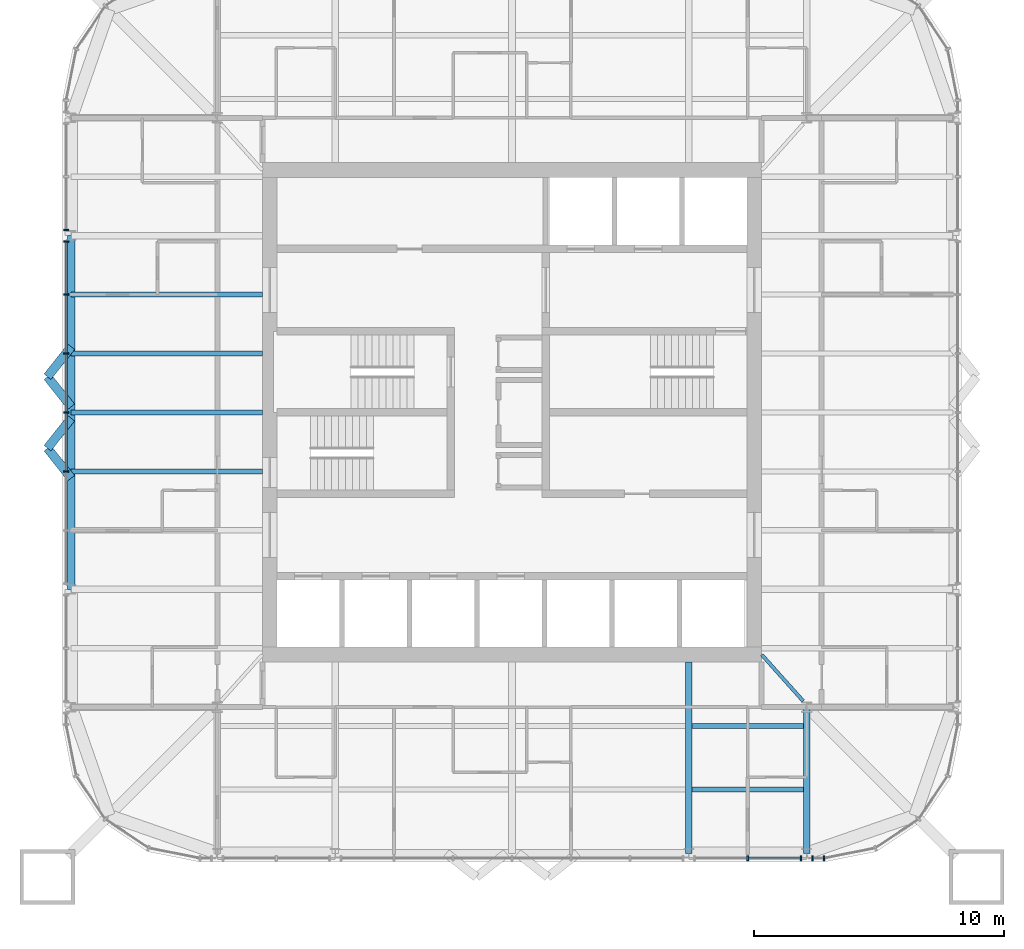
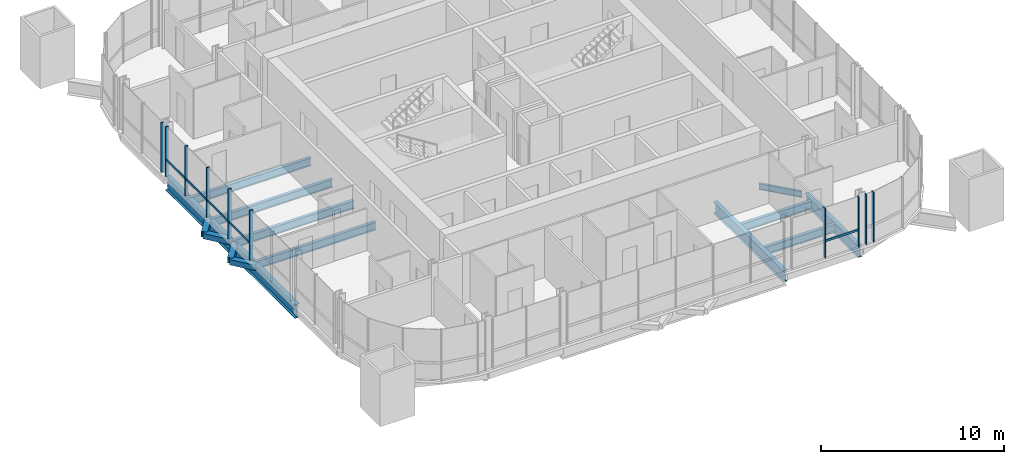
# One storey, part 3 of 17: 15 members, 14 beams, 4 elements without a shape of their own.
"""IFC4 building model written with IfcOpenShell, lengths in metres."""

from ifc_helpers import new_model, si_unit, direction, frame, origin, origin_2d, place, context, subcontext, project, spatial, rectangle, hollow_rectangle, i_section, extrude, material, material_profile, profile_set, type_object, element, aggregate, save


model = new_model("IFC4")

# Units and contexts
model_context = context("Model", 3, precision=1e-05, world=origin(), true_north=direction((0.0, 1.0)))
body_context = subcontext(model_context, "Body", "Model", "MODEL_VIEW")
ifc_project = project(units=[si_unit("LENGTHUNIT", "METRE"), si_unit("AREAUNIT", "SQUARE_METRE"), si_unit("VOLUMEUNIT", "CUBIC_METRE"), si_unit("PLANEANGLEUNIT", "RADIAN"), si_unit("MASSUNIT", "GRAM", prefix="KILO")], contexts=[model_context])

# Site, building, storey
site_placement = place(None, origin())
site = spatial("IfcSite", under=ifc_project, at=site_placement, CompositionType="ELEMENT")
building_placement = place(site_placement, origin())
building = spatial("IfcBuilding", under=site, at=building_placement, Name="Turquesa Mirador Hotel Tower", CompositionType="ELEMENT")
storey_placement = place(building_placement, frame((0.0, 0.0, 247.699951171875)))
storey = spatial("IfcBuildingStorey", under=building, at=storey_placement, Name="L67", CompositionType="ELEMENT", Elevation=247.699951171875)

# Beams
ifc_material_1 = material(Name="Steel ASTM A992 Grade 50", Category="steel")
ifc_material_profile_1 = material_profile(ifc_material_1, i_section(OverallWidth=0.140380859375, OverallDepth=0.40380859375, WebThickness=0.007080078125, FlangeThickness=0.01123046875, at=origin_2d()), Name="W16X31")
ifc_profile_set_1 = profile_set([ifc_material_profile_1], Name="Steel ASTM A992 Grade 50")
beam_type_1 = type_object("IfcBeamType", Name="BEAM W16X31", PredefinedType="BEAM", material=ifc_profile_set_1)
beam_1_placement = place(storey_placement, frame((66.656494140625, 33.44873046875, -0.371826171875), z_axis=(-0.666806350186, 0.745231032198, 0.0), x_axis=(-0.745231032198, -0.666806350186, 0.0)))
element("IfcBeam", 1, at=beam_1_placement, inside=storey, type_object=beam_type_1, Name="KT-L67-4", PredefinedType="BEAM", context=body_context, shape_type="SweptSolid", body=[
    extrude(i_section(OverallWidth=0.140380859375, OverallDepth=0.40380859375, WebThickness=0.007080078125, FlangeThickness=0.01123046875, at=origin_2d()), origin(), (0.0, 0.0, 1.0), 2.484130859375),
])
ifc_material_2 = material(Name="Steel ASTM A992 Grade 50", Category="steel")
ifc_material_profile_2 = material_profile(ifc_material_2, i_section(OverallWidth=0.209228515625, OverallDepth=0.533447265625, WebThickness=0.01025390625, FlangeThickness=0.015625, at=origin_2d()), Name="W21X62")
ifc_profile_set_2 = profile_set([ifc_material_profile_2], Name="Steel ASTM A992 Grade 50")
beam_type_2 = type_object("IfcBeamType", Name="BEAM W21X62", PredefinedType="BEAM", material=ifc_profile_set_2)
for number, where, z_axis, x_axis, name in (
    (2, (62.21337890625, 32.449951171875, -0.436767578125), (1.0, 0.0, 0.0), (0.0, 1.0, 0.0), "IB-L67-S-1-3"),
    (3, (62.21337890625, 29.89990234375, -0.436767578125), (1.0, 0.0, 0.0), (0.0, 1.0, 0.0), "IB-L67-S-2-3"),
):
    element("IfcBeam", number, at=place(storey_placement, frame(where, z_axis=z_axis, x_axis=x_axis)), inside=storey, type_object=beam_type_2, Name=name, PredefinedType="BEAM", context=body_context, shape_type="SweptSolid", body=[
        extrude(i_section(OverallWidth=0.209228515625, OverallDepth=0.533447265625, WebThickness=0.01025390625, FlangeThickness=0.015625, at=origin_2d()), origin(), (0.0, 0.0, 1.0), 4.453369140625),
    ])
for number, where, z_axis, x_axis, name in (
    (4, (37.35009765625, 42.639892578125, -0.436767578125), (1.0, 0.0, 0.0), (0.0, 1.0, 0.0), "BM-L67-W--2.36"),
    (5, (37.35009765625, 45.0, -0.436767578125), (1.0, 0.0, 0.0), (0.0, 1.0, 0.0), "BM-L67-W-+0.00"),
    (6, (37.35009765625, 47.360107421875, -0.436767578125), (1.0, 0.0, 0.0), (0.0, 1.0, 0.0), "BM-L67-W-+2.36"),
    (7, (37.35009765625, 49.719970703125, -0.436767578125), (1.0, 0.0, 0.0), (0.0, 1.0, 0.0), "BM-L67-W-+4.72"),
):
    element("IfcBeam", number, at=place(storey_placement, frame(where, z_axis=z_axis, x_axis=x_axis)), inside=storey, type_object=beam_type_2, Name=name, PredefinedType="BEAM", context=body_context, shape_type="SweptSolid", body=[
        extrude(i_section(OverallWidth=0.209228515625, OverallDepth=0.533447265625, WebThickness=0.01025390625, FlangeThickness=0.015625, at=origin_2d()), origin(), (0.0, 0.0, 1.0), 7.64990234375),
    ])
ifc_material_3 = material(Name="Steel ASTM A992 Grade 50", Category="steel")
ifc_material_profile_3 = material_profile(ifc_material_3, i_section(OverallWidth=0.2666015625, OverallDepth=0.7568359375, WebThickness=0.013916015625, FlangeThickness=0.019287109375, at=origin_2d()), Name="W30X108")
ifc_profile_set_3 = profile_set([ifc_material_profile_3], Name="Steel ASTM A992 Grade 50")
beam_type_3 = type_object("IfcBeamType", Name="BEAM W30X108", PredefinedType="BEAM", material=ifc_profile_set_3)
beam_2_placement = place(storey_placement, frame((62.080078125, 27.35009765625, -0.54833984375), z_axis=(0.0, 1.0, 0.0), x_axis=(-1.0, 0.0, 0.0)))
element("IfcBeam", 8, at=beam_2_placement, inside=storey, type_object=beam_type_3, Name="GD-L67-S-+7.08", PredefinedType="BEAM", context=body_context, shape_type="SweptSolid", body=[
    extrude(i_section(OverallWidth=0.2666015625, OverallDepth=0.7568359375, WebThickness=0.013916015625, FlangeThickness=0.019287109375, at=origin_2d()), origin(), (0.0, 0.0, 1.0), 7.64990234375),
])
beam_3_placement = place(storey_placement, frame((66.800048828125, 27.35009765625, -0.54833984375), z_axis=(0.0, 1.0, 0.0), x_axis=(-1.0, 0.0, 0.0)))
element("IfcBeam", 9, at=beam_3_placement, inside=storey, type_object=beam_type_3, Name="GK-L67-S-+11.80", PredefinedType="BEAM", context=body_context, shape_type="SweptSolid", body=[
    extrude(i_section(OverallWidth=0.2666015625, OverallDepth=0.7568359375, WebThickness=0.013916015625, FlangeThickness=0.019287109375, at=origin_2d()), origin(), (0.0, 0.0, 1.0), 5.849853515625),
])
ifc_material_4 = material(Name="Steel ASTM A992 Grade 50", Category="steel")
ifc_material_profile_4 = material_profile(ifc_material_4, i_section(OverallWidth=0.3046875, OverallDepth=0.911865234375, WebThickness=0.015869140625, FlangeThickness=0.02392578125, at=origin_2d()), Name="W36X150")
ifc_profile_set_4 = profile_set([ifc_material_profile_4], Name="Steel ASTM A992 Grade 50")
beam_type_4 = type_object("IfcBeamType", Name="BEAM W36X150", PredefinedType="BEAM", material=ifc_profile_set_4)
beam_4_placement = place(storey_placement, frame((37.35009765625, 37.919921875, -0.6259765625), z_axis=(0.0, 1.0, 0.0), x_axis=(-1.0, 0.0, 0.0)))
element("IfcBeam", 10, at=beam_4_placement, inside=storey, type_object=beam_type_4, Name="EB-L67-W-C", PredefinedType="BEAM", context=body_context, shape_type="SweptSolid", body=[
    extrude(i_section(OverallWidth=0.3046875, OverallDepth=0.911865234375, WebThickness=0.015869140625, FlangeThickness=0.02392578125, at=origin_2d()), origin(), (0.0, 0.0, 1.0), 14.16015625),
])
ifc_material_5 = material(Name="Steel ASTM A500 Grade C", Category="steel")
ifc_material_profile_5 = material_profile(ifc_material_5, hollow_rectangle(XDim=0.355712890625, YDim=0.355712890625, WallThickness=0.0146484375, at=origin_2d()), Name="HSS14X14X5/8")
ifc_profile_set_5 = profile_set([ifc_material_profile_5], Name="Steel ASTM A500 Grade C")
beam_type_5 = type_object("IfcBeamType", Name="BRACE STRUT HSS14X14X5/8", PredefinedType="BEAM", material=ifc_profile_set_5)
beam_5_placement = place(storey_placement, frame((36.39990234375, 43.5693359375, -0.34765625), z_axis=(0.620719284306, -0.784032888399, 0.0), x_axis=(0.784032888399, 0.620719284306, 0.0)))
element("IfcBeam", 11, at=beam_5_placement, inside=storey, type_object=beam_type_5, Name="Brace strut", PredefinedType="BEAM", context=body_context, shape_type="SweptSolid", body=[
    extrude(hollow_rectangle(XDim=0.355712890625, YDim=0.355712890625, WallThickness=0.0146484375, at=origin_2d()), origin(), (0.0, 0.0, 1.0), 1.53076171875),
])
for number, where, z_axis, x_axis, name in (
    (12, (36.39990234375, 43.5693359375, -0.34765625), (0.620796907089, 0.783971428146, 0.0), (-0.783971428146, 0.620796907089, 0.0), "Brace strut"),
    (13, (36.39990234375, 46.4306640625, -0.34765625), (0.620796907089, -0.783971428146, 0.0), (0.783971428146, 0.620796907089, 0.0), "Brace strut"),
):
    element("IfcBeam", number, at=place(storey_placement, frame(where, z_axis=z_axis, x_axis=x_axis)), inside=storey, type_object=beam_type_5, Name=name, PredefinedType="BEAM", context=body_context, shape_type="SweptSolid", body=[
        extrude(hollow_rectangle(XDim=0.355712890625, YDim=0.355712890625, WallThickness=0.0146484375, at=origin_2d()), origin(), (0.0, 0.0, 1.0), 1.530517578125),
    ])
beam_6_placement = place(storey_placement, frame((36.39990234375, 46.4306640625, -0.34765625), z_axis=(0.620719284306, 0.784032888399, 0.0), x_axis=(-0.784032888399, 0.620719284306, 0.0)))
element("IfcBeam", 14, at=beam_6_placement, inside=storey, type_object=beam_type_5, Name="Brace strut", PredefinedType="BEAM", context=body_context, shape_type="SweptSolid", body=[
    extrude(hollow_rectangle(XDim=0.355712890625, YDim=0.355712890625, WallThickness=0.0146484375, at=origin_2d()), origin(), (0.0, 0.0, 1.0), 1.53076171875),
])

# Curtain wall, member
ifc_material_6 = material(Name="Aluminium extrusion", Category="aluminium")
curtain_wall_type = type_object("IfcCurtainWallType", Name="CW-4 SUITE FRITTED CURTAIN WALL", PredefinedType="USERDEFINED", material=ifc_material_6)
curtain_wall_1_placement = place(storey_placement, origin())
curtain_wall_1 = element("IfcCurtainWall", 15, at=curtain_wall_1_placement, inside=storey, type_object=curtain_wall_type, Name="CW-4 SUITE FRITTED CURTAIN WALL L67", ObjectType="CURTAIN WALL", PredefinedType="USERDEFINED")
ifc_material_7 = material(Name="Aluminium extrusion", Category="aluminium")
ifc_material_profile_6 = material_profile(ifc_material_7, rectangle(XDim=0.06494140625, YDim=0.199951171875, at=origin_2d()), Name="MULLION 65X200")
ifc_profile_set_6 = profile_set([ifc_material_profile_6], Name="Aluminium extrusion")
member_type_1 = type_object("IfcMemberType", Name="CW MULLION 65X200", PredefinedType="MULLION", material=ifc_profile_set_6)
member_1_placement = place(storey_placement, frame((37.14990234375, 52.31396484375, 0.0), z_axis=(0.0, 0.0, 1.0), x_axis=(0.0, -1.0, 0.0)))
member_1 = element("IfcMember", 16, at=member_1_placement, type_object=member_type_1, Name="Mullion", PredefinedType="MULLION", context=body_context, shape_type="SweptSolid", body=[
    extrude(rectangle(XDim=0.06494140625, YDim=0.199951171875, at=origin_2d()), origin(), (0.0, 0.0, 1.0), 3.330078125),
])
aggregate(curtain_wall_1, [member_1])

# Curtain wall, members
curtain_wall_2_placement = place(storey_placement, origin())
curtain_wall_2 = element("IfcCurtainWall", 17, at=curtain_wall_2_placement, inside=storey, type_object=curtain_wall_type, Name="CW-4 SUITE FRITTED CURTAIN WALL L67", ObjectType="CURTAIN WALL", PredefinedType="USERDEFINED")
member_2_placement = place(storey_placement, frame((37.14990234375, 51.84619140625, 0.0), z_axis=(0.0, 0.0, 1.0), x_axis=(0.0, -1.0, 0.0)))
member_2 = element("IfcMember", 18, at=member_2_placement, type_object=member_type_1, Name="Mullion", PredefinedType="MULLION", context=body_context, shape_type="SweptSolid", body=[
    extrude(rectangle(XDim=0.06494140625, YDim=0.199951171875, at=origin_2d()), origin(), (0.0, 0.0, 1.0), 3.330078125),
])
member_3_placement = place(storey_placement, frame((37.14990234375, 49.719970703125, 0.0), z_axis=(0.0, 0.0, 1.0), x_axis=(0.0, -1.0, 0.0)))
member_3 = element("IfcMember", 19, at=member_3_placement, type_object=member_type_1, Name="Mullion", PredefinedType="MULLION", context=body_context, shape_type="SweptSolid", body=[
    extrude(rectangle(XDim=0.06494140625, YDim=0.199951171875, at=origin_2d()), origin(), (0.0, 0.0, 1.0), 3.330078125),
])
member_4_placement = place(storey_placement, frame((37.14990234375, 47.360107421875, 0.0), z_axis=(0.0, 0.0, 1.0), x_axis=(0.0, -1.0, 0.0)))
member_4 = element("IfcMember", 20, at=member_4_placement, type_object=member_type_1, Name="Mullion", PredefinedType="MULLION", context=body_context, shape_type="SweptSolid", body=[
    extrude(rectangle(XDim=0.06494140625, YDim=0.199951171875, at=origin_2d()), origin(), (0.0, 0.0, 1.0), 3.330078125),
])
member_5_placement = place(storey_placement, frame((37.14990234375, 45.0, 0.0), z_axis=(0.0, 0.0, 1.0), x_axis=(0.0, -1.0, 0.0)))
member_5 = element("IfcMember", 21, at=member_5_placement, type_object=member_type_1, Name="Mullion", PredefinedType="MULLION", context=body_context, shape_type="SweptSolid", body=[
    extrude(rectangle(XDim=0.06494140625, YDim=0.199951171875, at=origin_2d()), origin(), (0.0, 0.0, 1.0), 3.330078125),
])
member_6_placement = place(storey_placement, frame((37.14990234375, 42.639892578125, 0.0), z_axis=(0.0, 0.0, 1.0), x_axis=(0.0, -1.0, 0.0)))
member_6 = element("IfcMember", 22, at=member_6_placement, type_object=member_type_1, Name="Mullion", PredefinedType="MULLION", context=body_context, shape_type="SweptSolid", body=[
    extrude(rectangle(XDim=0.06494140625, YDim=0.199951171875, at=origin_2d()), origin(), (0.0, 0.0, 1.0), 3.330078125),
])

curtain_wall_3_placement = place(storey_placement, origin())
curtain_wall_3 = element("IfcCurtainWall", 23, at=curtain_wall_3_placement, inside=storey, type_object=curtain_wall_type, Name="CW-4 SUITE FRITTED CURTAIN WALL L67", ObjectType="CURTAIN WALL", PredefinedType="USERDEFINED")
member_7_placement = place(storey_placement, frame((64.43994140625, 27.14990234375, 0.0), z_axis=(0.0, 0.0, 1.0), x_axis=(1.0, 0.0, 0.0)))
member_7 = element("IfcMember", 24, at=member_7_placement, type_object=member_type_1, Name="Mullion", PredefinedType="MULLION", context=body_context, shape_type="SweptSolid", body=[
    extrude(rectangle(XDim=0.06494140625, YDim=0.199951171875, at=origin_2d()), origin(), (0.0, 0.0, 1.0), 3.330078125),
])
member_8_placement = place(storey_placement, frame((66.566162109375, 27.14990234375, 0.0), z_axis=(0.0, 0.0, 1.0), x_axis=(1.0, 0.0, 0.0)))
member_8 = element("IfcMember", 25, at=member_8_placement, type_object=member_type_1, Name="Mullion", PredefinedType="MULLION", context=body_context, shape_type="SweptSolid", body=[
    extrude(rectangle(XDim=0.06494140625, YDim=0.199951171875, at=origin_2d()), origin(), (0.0, 0.0, 1.0), 3.330078125),
])

curtain_wall_4_placement = place(storey_placement, origin())
curtain_wall_4 = element("IfcCurtainWall", 26, at=curtain_wall_4_placement, inside=storey, type_object=curtain_wall_type, Name="CW-4 SUITE FRITTED CURTAIN WALL L67", ObjectType="CURTAIN WALL", PredefinedType="USERDEFINED")
member_9_placement = place(storey_placement, frame((67.033935546875, 27.14990234375, 0.0), z_axis=(0.0, 0.0, 1.0), x_axis=(1.0, 0.0, 0.0)))
member_9 = element("IfcMember", 27, at=member_9_placement, type_object=member_type_1, Name="Mullion", PredefinedType="MULLION", context=body_context, shape_type="SweptSolid", body=[
    extrude(rectangle(XDim=0.06494140625, YDim=0.199951171875, at=origin_2d()), origin(), (0.0, 0.0, 1.0), 3.330078125),
])
member_10_placement = place(storey_placement, frame((67.5, 27.14990234375, 0.0), z_axis=(0.0, 0.0, 1.0), x_axis=(1.0, 0.0, 0.0)))
member_10 = element("IfcMember", 28, at=member_10_placement, type_object=member_type_1, Name="Mullion", PredefinedType="MULLION", context=body_context, shape_type="SweptSolid", body=[
    extrude(rectangle(XDim=0.06494140625, YDim=0.199951171875, at=origin_2d()), origin(), (0.0, 0.0, 1.0), 3.330078125),
])
aggregate(curtain_wall_4, [member_9, member_10])

# Member
ifc_material_8 = material(Name="Aluminium extrusion", Category="aluminium")
ifc_material_profile_7 = material_profile(ifc_material_8, rectangle(XDim=0.06494140625, YDim=0.14990234375, at=origin_2d()), Name="TRANSOM 65X150")
ifc_profile_set_7 = profile_set([ifc_material_profile_7], Name="Aluminium extrusion")
member_type_2 = type_object("IfcMemberType", Name="CW TRANSOM 65X150", PredefinedType="USERDEFINED", material=ifc_profile_set_7)
member_11_placement = place(storey_placement, frame((37.14990234375, 51.813720703125, 1.10009765625), z_axis=(0.0, -1.0, 0.0), x_axis=(1.0, 0.0, 0.0)))
member_11 = element("IfcMember", 29, at=member_11_placement, type_object=member_type_2, Name="Transom", ObjectType="TRANSOM", PredefinedType="USERDEFINED", context=body_context, shape_type="SweptSolid", body=[
    extrude(rectangle(XDim=0.06494140625, YDim=0.14990234375, at=origin_2d()), origin(), (0.0, 0.0, 1.0), 2.061279296875),
])

member_12_placement = place(storey_placement, frame((37.14990234375, 49.6875, 1.10009765625), z_axis=(0.0, -1.0, 0.0), x_axis=(1.0, 0.0, 0.0)))
member_12 = element("IfcMember", 30, at=member_12_placement, type_object=member_type_2, Name="Transom", ObjectType="TRANSOM", PredefinedType="USERDEFINED", context=body_context, shape_type="SweptSolid", body=[
    extrude(rectangle(XDim=0.06494140625, YDim=0.14990234375, at=origin_2d()), origin(), (0.0, 0.0, 1.0), 2.294921875),
])

member_13_placement = place(storey_placement, frame((37.14990234375, 47.327392578125, 1.10009765625), z_axis=(0.0, -1.0, 0.0), x_axis=(1.0, 0.0, 0.0)))
member_13 = element("IfcMember", 31, at=member_13_placement, type_object=member_type_2, Name="Transom", ObjectType="TRANSOM", PredefinedType="USERDEFINED", context=body_context, shape_type="SweptSolid", body=[
    extrude(rectangle(XDim=0.06494140625, YDim=0.14990234375, at=origin_2d()), origin(), (0.0, 0.0, 1.0), 2.294921875),
])

member_14_placement = place(storey_placement, frame((37.14990234375, 44.967529296875, 1.10009765625), z_axis=(0.0, -1.0, 0.0), x_axis=(1.0, 0.0, 0.0)))
member_14 = element("IfcMember", 32, at=member_14_placement, type_object=member_type_2, Name="Transom", ObjectType="TRANSOM", PredefinedType="USERDEFINED", context=body_context, shape_type="SweptSolid", body=[
    extrude(rectangle(XDim=0.06494140625, YDim=0.14990234375, at=origin_2d()), origin(), (0.0, 0.0, 1.0), 2.294921875),
])

aggregate(curtain_wall_2, [member_2, member_3, member_4, member_5, member_6, member_11, member_12, member_13, member_14])

member_15_placement = place(storey_placement, frame((64.472412109375, 27.14990234375, 1.10009765625), z_axis=(1.0, 0.0, 0.0), x_axis=(0.0, 1.0, 0.0)))
member_15 = element("IfcMember", 33, at=member_15_placement, type_object=member_type_2, Name="Transom", ObjectType="TRANSOM", PredefinedType="USERDEFINED", context=body_context, shape_type="SweptSolid", body=[
    extrude(rectangle(XDim=0.06494140625, YDim=0.14990234375, at=origin_2d()), origin(), (0.0, 0.0, 1.0), 2.061279296875),
])

aggregate(curtain_wall_3, [member_7, member_8, member_15])

save(model, "model.ifc")
